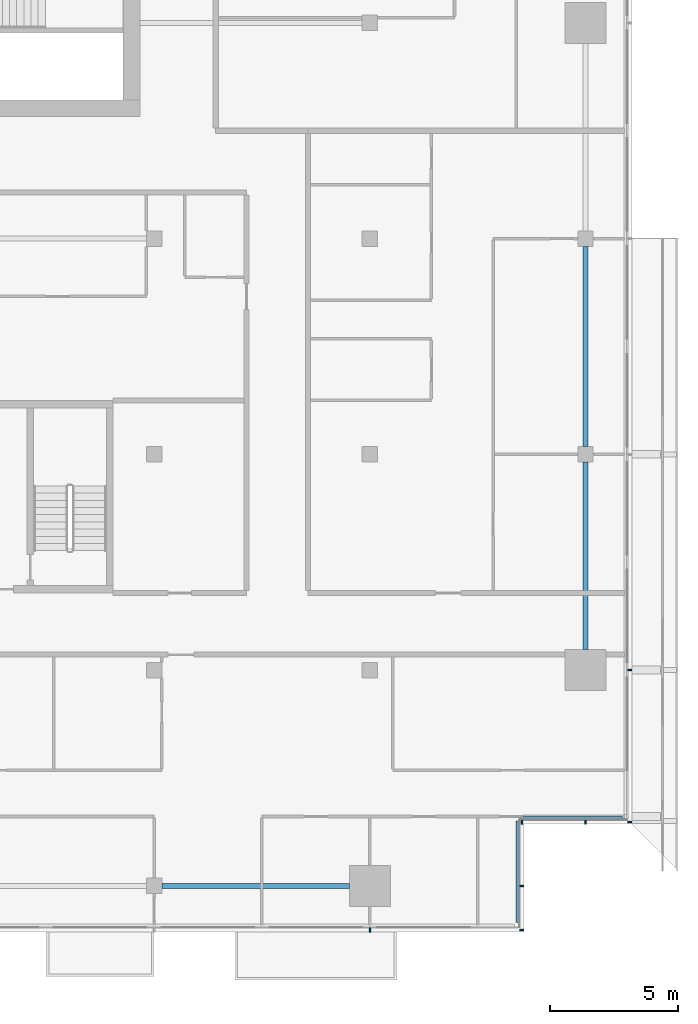
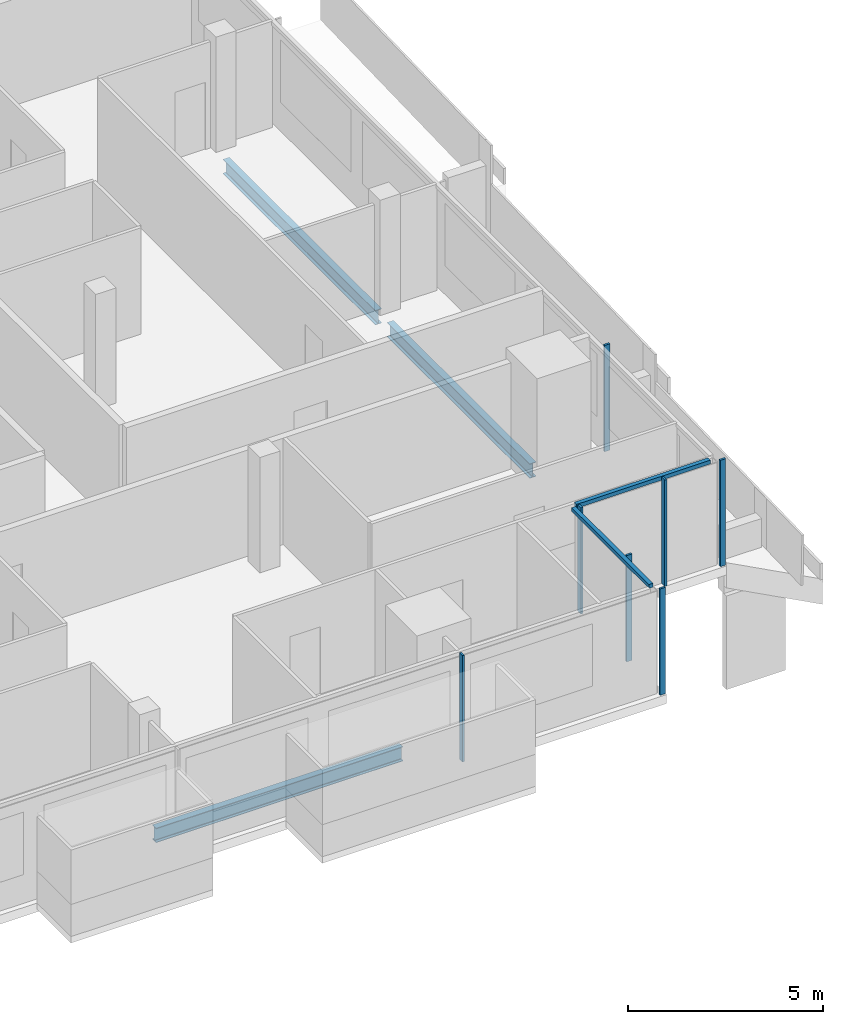
# One storey, part 11 of 29: 9 members, 3 beams, 4 elements without a shape of their own.
"""IFC4 building model written with IfcOpenShell, lengths in metres."""

import ifcopenshell
import ifcopenshell.guid

model = None  # the IFC model being written
_history = None  # IfcOwnerHistory: only IFC2X3 demands one
_inside = {}  # id of a spatial element -> (the spatial element, [elements in it])
_under = {}  # id of a project, library or spatial element -> (it, [spatial elements below it])
_declared = {}  # id of a project -> (the project, [libraries it declares])
_typed = {}  # id of a type object -> (the type object, [elements of that type])
_made_of = {}  # id of a material, layer set ... -> (it, [elements and type objects made of it])


def new_model(schema):
    """Start an empty IFC model of exactly this schema.

    Asked for "IFC4X3", IfcOpenShell would pick the latest addendum, in which some entities
    have other attributes; the version numbers below select the first issue.
    IFC2X3 requires an IfcOwnerHistory on every rooted entity: one is made here for all.
    """
    global model, _history
    if schema == "IFC4X3":
        model = ifcopenshell.file(schema_version=(4, 3, 0, 0))
    else:
        model = ifcopenshell.file(schema=schema)
    _inside.clear()
    _under.clear()
    _declared.clear()
    _typed.clear()
    _made_of.clear()
    _history = None
    if model.schema == "IFC2X3":
        org = make("IfcOrganization", Name="unknown")
        user = make(
            "IfcPersonAndOrganization",
            ThePerson=make("IfcPerson", FamilyName="unknown"),
            TheOrganization=org,
        )
        app = make(
            "IfcApplication",
            ApplicationDeveloper=org,
            Version="unknown",
            ApplicationFullName="unknown",
            ApplicationIdentifier="unknown",
        )
        _history = make(
            "IfcOwnerHistory",
            OwningUser=user,
            OwningApplication=app,
            ChangeAction="ADDED",
            CreationDate=0,
        )
    return model


def make(cls, **values):
    """One entity of the class cls with the attributes given. An attribute that is None is left unset."""
    return model.create_entity(
        cls, **{name: value for name, value in values.items() if value is not None}
    )


def rooted(cls, **values):
    """An entity with a GlobalId (a new one), such as an element, a storey or a relation."""
    return make(cls, GlobalId=ifcopenshell.guid.new(), OwnerHistory=_history, **values)


def si_unit(unit_type, name, prefix=None):
    """IfcSIUnit, for example si_unit("LENGTHUNIT", "METRE", prefix="MILLI")."""
    return make("IfcSIUnit", UnitType=unit_type, Prefix=prefix, Name=name)


def assignment(units):
    """IfcUnitAssignment: the units of a project."""
    return None if units is None else make("IfcUnitAssignment", Units=units)


def point(xyz):
    """IfcCartesianPoint."""
    return None if xyz is None else make("IfcCartesianPoint", Coordinates=xyz)


def direction(xyz):
    """IfcDirection."""
    return None if xyz is None else make("IfcDirection", DirectionRatios=xyz)


def frame(location, z_axis=None, x_axis=None):
    """IfcAxis2Placement3D, a coordinate frame: its origin and axes. An axis left out is left unset."""
    return make(
        "IfcAxis2Placement3D",
        Location=point(location),
        Axis=direction(z_axis),
        RefDirection=direction(x_axis),
    )


def frame_2d(location, x_axis=None):
    """IfcAxis2Placement2D, a coordinate frame in the plane: its origin and x axis."""
    return make(
        "IfcAxis2Placement2D", Location=point(location), RefDirection=direction(x_axis)
    )


def origin():
    """The frame at (0, 0, 0) with its axes left unset."""
    return frame((0.0, 0.0, 0.0))


def origin_2d():
    """The frame at (0, 0) in the plane with its x axis left unset."""
    return frame_2d((0.0, 0.0))


def place(relative_to, where):
    """IfcLocalPlacement: puts the frame where relative to a parent placement (None: the world)."""
    return make(
        "IfcLocalPlacement", PlacementRelTo=relative_to, RelativePlacement=where
    )


def context(
    kind, dimensions, precision=None, world=None, true_north=None, identifier=None
):
    """IfcGeometricRepresentationContext, for example the 3D "Model" context."""
    return make(
        "IfcGeometricRepresentationContext",
        ContextIdentifier=identifier,
        ContextType=kind,
        CoordinateSpaceDimension=dimensions,
        Precision=precision,
        WorldCoordinateSystem=world,
        TrueNorth=true_north,
    )


def subcontext(parent, identifier, kind, view, scale=None):
    """IfcGeometricRepresentationSubContext, for example "Body" below "Model"."""
    return make(
        "IfcGeometricRepresentationSubContext",
        ContextIdentifier=identifier,
        ContextType=kind,
        ParentContext=parent,
        TargetScale=scale,
        TargetView=view,
    )


def project(units=None, contexts=None):
    """IfcProject with its units and contexts."""
    return rooted(
        "IfcProject",
        Name="project",
        RepresentationContexts=contexts,
        UnitsInContext=assignment(units),
    )


def spatial(cls, under=None, at=None, **own):
    """A site, building, storey or space (cls), placed at a placement, below another one or the project."""
    s = rooted(cls, ObjectPlacement=at, **own)
    if under is not None:
        _under.setdefault(under.id(), (under, []))[1].append(s)
    return s


def profile(cls, at=None, kind="AREA", **sizes):
    """A parametric profile (cls). Its sizes go by their IFC names, for example OverallWidth=200.0."""
    return make(cls, ProfileType=kind, Position=at, **sizes)


def rectangle(**sizes):
    """IfcRectangleProfileDef."""
    return profile("IfcRectangleProfileDef", **sizes)


def i_section(**sizes):
    """IfcIShapeProfileDef."""
    return profile("IfcIShapeProfileDef", **sizes)


def extrude(swept, where, along, depth):
    """IfcExtrudedAreaSolid: the profile swept, set in the frame where, extruded along a direction by depth."""
    return make(
        "IfcExtrudedAreaSolid",
        SweptArea=swept,
        Position=where,
        ExtrudedDirection=direction(along),
        Depth=depth,
    )


def shape(context_of_items, identifier, shape_type, items):
    """IfcShapeRepresentation: the items that make up one representation, for example the "Body"."""
    return make(
        "IfcShapeRepresentation",
        ContextOfItems=context_of_items,
        RepresentationIdentifier=identifier,
        RepresentationType=shape_type,
        Items=items,
    )


def material(Name=None, Category=None):
    """IfcMaterial."""
    return make("IfcMaterial", Name=Name, Category=Category)


def material_profile(
    of_material, cross_section, Name=None, Category=None, Priority=None
):
    """IfcMaterialProfile: a cross section and its material."""
    return make(
        "IfcMaterialProfile",
        Name=Name,
        Material=of_material,
        Profile=cross_section,
        Priority=Priority,
        Category=Category,
    )


def profile_set(profiles, Name=None, composite=None):
    """IfcMaterialProfileSet."""
    return make(
        "IfcMaterialProfileSet",
        Name=Name,
        MaterialProfiles=profiles,
        CompositeProfile=composite,
    )


def made_of(thing, what):
    """Note that an element or type object is made of a material, layer set ...; save() writes the relation."""
    if what is not None:
        _made_of.setdefault(what.id(), (what, []))[1].append(thing)
    return thing


def type_object(cls, material=None, **own):
    """A type object (cls), such as IfcWallType, which elements share."""
    return made_of(rooted(cls, **own), material)


def element(
    cls,
    number,
    at=None,
    inside=None,
    cuts=None,
    type_object=None,
    material=None,
    context=None,
    identifier="Body",
    shape_type=None,
    held_by="IfcProductDefinitionShape",
    body=None,
    shapes=None,
    **own,
):
    """One element of the class cls, such as IfcWall. Its Tag is "e" and its number.

    at: its placement. inside: the storey or other place that contains it. cuts: it is an
    opening in that element (IfcRelVoidsElement). A single representation is given by context,
    identifier, shape_type and body (its items); several are given by shapes. held_by: the class
    of the entity that holds the representations. save() writes the other relations.
    """
    e = rooted(cls, Tag="e%d" % number, ObjectPlacement=at, **own)
    if body is not None:
        shapes = [shape(context, identifier, shape_type, body)]
    if shapes is not None:
        e.Representation = make(held_by, Representations=shapes)
    if inside is not None:
        _inside.setdefault(inside.id(), (inside, []))[1].append(e)
    if cuts is not None:
        rooted(
            "IfcRelVoidsElement", RelatingBuildingElement=cuts, RelatedOpeningElement=e
        )
    if type_object is not None:
        _typed.setdefault(type_object.id(), (type_object, []))[1].append(e)
    return made_of(e, material)


def aggregate(whole, parts):
    """IfcRelAggregates: a whole, such as a stair, and the parts it consists of."""
    return rooted("IfcRelAggregates", RelatingObject=whole, RelatedObjects=parts)


def save(model, path):
    """Write the relations noted so far, then the file.

    IfcRelAggregates (storeys below a building ...), IfcRelContainedInSpatialStructure (elements
    in a storey), IfcRelDefinesByType, IfcRelAssociatesMaterial and IfcRelDeclares: one each for
    every whole, place, type object, material and project.
    """
    for whole, parts in _under.values():
        aggregate(whole, parts)
    for where, things in _inside.values():
        rooted(
            "IfcRelContainedInSpatialStructure",
            RelatedElements=things,
            RelatingStructure=where,
        )
    for kind, things in _typed.values():
        rooted("IfcRelDefinesByType", RelatedObjects=things, RelatingType=kind)
    for what, things in _made_of.values():
        rooted("IfcRelAssociatesMaterial", RelatedObjects=things, RelatingMaterial=what)
    for by, libraries in _declared.values():
        rooted("IfcRelDeclares", RelatingContext=by, RelatedDefinitions=libraries)
    model.write(path)


model = new_model("IFC4")

# Units and contexts
model_context = context("Model", 3, precision=1e-05, world=origin(), true_north=direction((0.0, 1.0)))
body_context = subcontext(model_context, "Body", "Model", "MODEL_VIEW")
ifc_project = project(units=[si_unit("LENGTHUNIT", "METRE"), si_unit("AREAUNIT", "SQUARE_METRE"), si_unit("VOLUMEUNIT", "CUBIC_METRE"), si_unit("PLANEANGLEUNIT", "RADIAN"), si_unit("MASSUNIT", "GRAM", prefix="KILO")], contexts=[model_context])

# Site, building, storey
site_placement = place(None, origin())
site = spatial("IfcSite", under=ifc_project, at=site_placement, CompositionType="ELEMENT")
building_placement = place(site_placement, origin())
building = spatial("IfcBuilding", under=site, at=building_placement, Name="Saffron Gate Tower", CompositionType="ELEMENT")
storey_placement = place(building_placement, frame((0.0, 0.0, 219.89990234375)))
storey = spatial("IfcBuildingStorey", under=building, at=storey_placement, Name="L53", CompositionType="ELEMENT", Elevation=219.89990234375)

# Beams
ifc_material_1 = material(Name="Structural steel S355", Category="steel")
ifc_material_profile_1 = material_profile(ifc_material_1, i_section(OverallWidth=0.18994140625, OverallDepth=0.449951171875, WebThickness=0.009521484375, FlangeThickness=0.0146484375, FilletRadius=0.02099609375, at=origin_2d()))
ifc_profile_set_1 = profile_set([ifc_material_profile_1], Name="Structural steel S355")
beam_type = type_object("IfcBeamType", Name="B7 IPE 450", PredefinedType="SPANDREL", material=ifc_profile_set_1)
for number, where, z_axis, x_axis, name in (
    (1, (108.89990234375, 31.800048828125, -0.5048828125), (1.0, 0.0, 0.0), (0.0, 1.0, 0.0), "B7 SPANDREL BEAM"),
    (2, (125.39990234375, 41.0, -0.5048828125), (0.0, 1.0, 0.0), (-1.0, 0.0, 0.0), "B7 SPANDREL BEAM"),
):
    element("IfcBeam", number, at=place(storey_placement, frame(where, z_axis=z_axis, x_axis=x_axis)), inside=storey, type_object=beam_type, Name=name, PredefinedType="SPANDREL", context=body_context, shape_type="SweptSolid", body=[
        extrude(i_section(OverallWidth=0.18994140625, OverallDepth=0.449951171875, WebThickness=0.009521484375, FlangeThickness=0.0146484375, FilletRadius=0.02099609375, at=origin_2d()), origin(), (0.0, 0.0, 1.0), 7.300048828125),
    ])
beam_placement = place(storey_placement, frame((125.39990234375, 48.89990234375, -0.5048828125), z_axis=(0.0, 1.0, 0.0), x_axis=(-1.0, 0.0, 0.0)))
element("IfcBeam", 3, at=beam_placement, inside=storey, type_object=beam_type, Name="B7 SPANDREL BEAM", PredefinedType="SPANDREL", context=body_context, shape_type="SweptSolid", body=[
    extrude(i_section(OverallWidth=0.18994140625, OverallDepth=0.449951171875, WebThickness=0.009521484375, FlangeThickness=0.0146484375, FilletRadius=0.02099609375, at=origin_2d()), origin(), (0.0, 0.0, 1.0), 7.800048828125),
])

# Curtain wall, member
ifc_material_2 = material(Name="Aluminium, bronze anodised", Category="aluminium")
curtain_wall_type_1 = type_object("IfcCurtainWallType", Name="CWS1 curtain wall front facade", PredefinedType="NOTDEFINED", material=ifc_material_2)
curtain_wall_1_placement = place(storey_placement, origin())
curtain_wall_1 = element("IfcCurtainWall", 4, at=curtain_wall_1_placement, inside=storey, type_object=curtain_wall_type_1, Name="CWS1 run 1", PredefinedType="NOTDEFINED")
ifc_material_profile_2 = material_profile(ifc_material_2, rectangle(XDim=0.159912109375, YDim=0.06005859375, at=origin_2d()))
ifc_profile_set_2 = profile_set([ifc_material_profile_2], Name="Aluminium, bronze anodised")
member_type_1 = type_object("IfcMemberType", Name="CWS1 mullion 60x160", PredefinedType="MULLION", material=ifc_profile_set_2)
member_1_placement = place(storey_placement, frame((117.0, 30.080078125, 0.0), z_axis=(0.0, 0.0, 1.0), x_axis=(0.0, 1.0, 0.0)))
member_1 = element("IfcMember", 5, at=member_1_placement, type_object=member_type_1, Name="CWS1 mullion 9", PredefinedType="MULLION", context=body_context, shape_type="SweptSolid", body=[
    extrude(rectangle(XDim=0.159912109375, YDim=0.06005859375, at=origin_2d()), origin(), (0.0, 0.0, 1.0), 3.320068359375),
])
aggregate(curtain_wall_1, [member_1])

# Curtain wall, members
curtain_wall_type_2 = type_object("IfcCurtainWallType", Name="CWS2 curtain wall side facades", PredefinedType="NOTDEFINED", material=ifc_material_2)
curtain_wall_2_placement = place(storey_placement, origin())
curtain_wall_2 = element("IfcCurtainWall", 6, at=curtain_wall_2_placement, inside=storey, type_object=curtain_wall_type_2, Name="CWS2 run 4", PredefinedType="NOTDEFINED")
ifc_material_profile_3 = material_profile(ifc_material_2, rectangle(XDim=0.159912109375, YDim=0.06005859375, at=origin_2d()))
ifc_profile_set_3 = profile_set([ifc_material_profile_3], Name="Aluminium, bronze anodised")
member_type_2 = type_object("IfcMemberType", Name="CWS2 mullion 60x160", PredefinedType="MULLION", material=ifc_profile_set_3)
member_2_placement = place(storey_placement, frame((127.1201171875, 34.280029296875, 0.0), z_axis=(0.0, 0.0, 1.0), x_axis=(-1.0, 0.0, 0.0)))
member_2 = element("IfcMember", 7, at=member_2_placement, type_object=member_type_2, Name="CWS2 mullion 1", PredefinedType="MULLION", context=body_context, shape_type="SweptSolid", body=[
    extrude(rectangle(XDim=0.159912109375, YDim=0.06005859375, at=origin_2d()), origin(), (0.0, 0.0, 1.0), 3.320068359375),
])
member_3_placement = place(storey_placement, frame((127.1201171875, 40.199951171875, 0.0), z_axis=(0.0, 0.0, 1.0), x_axis=(-1.0, 0.0, 0.0)))
member_3 = element("IfcMember", 8, at=member_3_placement, type_object=member_type_2, Name="CWS2 mullion 2", PredefinedType="MULLION", context=body_context, shape_type="SweptSolid", body=[
    extrude(rectangle(XDim=0.159912109375, YDim=0.06005859375, at=origin_2d()), origin(), (0.0, 0.0, 1.0), 3.320068359375),
])
aggregate(curtain_wall_2, [member_2, member_3])

# Curtain wall, member
curtain_wall_type_3 = type_object("IfcCurtainWallType", Name="CWS4 curtain wall corner returns", PredefinedType="NOTDEFINED", material=ifc_material_2)
curtain_wall_3_placement = place(storey_placement, origin())
curtain_wall_3 = element("IfcCurtainWall", 9, at=curtain_wall_3_placement, inside=storey, type_object=curtain_wall_type_3, Name="CWS4 run 2", PredefinedType="NOTDEFINED")
ifc_material_profile_4 = material_profile(ifc_material_2, rectangle(XDim=0.1201171875, YDim=0.1201171875, at=origin_2d()))
ifc_profile_set_4 = profile_set([ifc_material_profile_4], Name="Aluminium, bronze anodised")
member_type_3 = type_object("IfcMemberType", Name="CWS4 head transom", PredefinedType="USERDEFINED", material=ifc_profile_set_4)
member_4_placement = place(storey_placement, frame((122.751953125, 30.367919921875, 3.260009765625), z_axis=(0.0, 1.0, 0.0), x_axis=(-1.0, 0.0, 0.0)))
member_4 = element("IfcMember", 10, at=member_4_placement, type_object=member_type_3, Name="CWS4 head transom", ObjectType="TRANSOM", PredefinedType="USERDEFINED", context=body_context, shape_type="SweptSolid", body=[
    extrude(rectangle(XDim=0.1201171875, YDim=0.1201171875, at=origin_2d()), origin(), (0.0, 0.0, 1.0), 3.9599609375),
])

curtain_wall_4_placement = place(storey_placement, origin())
curtain_wall_4 = element("IfcCurtainWall", 11, at=curtain_wall_4_placement, inside=storey, type_object=curtain_wall_type_3, Name="CWS4 run 3", PredefinedType="NOTDEFINED")
member_5_placement = place(storey_placement, frame((122.8720703125, 34.447998046875, 3.260009765625), z_axis=(1.0, 0.0, 0.0), x_axis=(0.0, 1.0, 0.0)))
member_5 = element("IfcMember", 12, at=member_5_placement, type_object=member_type_3, Name="CWS4 head transom", ObjectType="TRANSOM", PredefinedType="USERDEFINED", context=body_context, shape_type="SweptSolid", body=[
    extrude(rectangle(XDim=0.1201171875, YDim=0.1201171875, at=origin_2d()), origin(), (0.0, 0.0, 1.0), 3.9599609375),
])

# Member
ifc_material_profile_5 = material_profile(ifc_material_2, rectangle(XDim=0.159912109375, YDim=0.06005859375, at=origin_2d()))
ifc_profile_set_5 = profile_set([ifc_material_profile_5], Name="Aluminium, bronze anodised")
member_type_4 = type_object("IfcMemberType", Name="CWS4 mullion 60x160", PredefinedType="MULLION", material=ifc_profile_set_5)
member_6_placement = place(storey_placement, frame((122.919921875, 30.080078125, 0.0), z_axis=(0.0, 0.0, 1.0), x_axis=(-1.0, 0.0, 0.0)))
member_6 = element("IfcMember", 13, at=member_6_placement, type_object=member_type_4, Name="CWS4 mullion 1", PredefinedType="MULLION", context=body_context, shape_type="SweptSolid", body=[
    extrude(rectangle(XDim=0.159912109375, YDim=0.06005859375, at=origin_2d()), origin(), (0.0, 0.0, 1.0), 3.320068359375),
])

member_7_placement = place(storey_placement, frame((122.919921875, 31.800048828125, 0.0), z_axis=(0.0, 0.0, 1.0), x_axis=(-1.0, 0.0, 0.0)))
member_7 = element("IfcMember", 14, at=member_7_placement, type_object=member_type_4, Name="CWS4 mullion 2", PredefinedType="MULLION", context=body_context, shape_type="SweptSolid", body=[
    extrude(rectangle(XDim=0.159912109375, YDim=0.06005859375, at=origin_2d()), origin(), (0.0, 0.0, 1.0), 3.320068359375),
])

aggregate(curtain_wall_3, [member_6, member_7, member_4])

member_8_placement = place(storey_placement, frame((122.919921875, 34.280029296875, 0.0), z_axis=(0.0, 0.0, 1.0), x_axis=(0.0, 1.0, 0.0)))
member_8 = element("IfcMember", 15, at=member_8_placement, type_object=member_type_4, Name="CWS4 mullion 1", PredefinedType="MULLION", context=body_context, shape_type="SweptSolid", body=[
    extrude(rectangle(XDim=0.159912109375, YDim=0.06005859375, at=origin_2d()), origin(), (0.0, 0.0, 1.0), 3.320068359375),
])

member_9_placement = place(storey_placement, frame((125.39990234375, 34.280029296875, 0.0), z_axis=(0.0, 0.0, 1.0), x_axis=(0.0, 1.0, 0.0)))
member_9 = element("IfcMember", 16, at=member_9_placement, type_object=member_type_4, Name="CWS4 mullion 2", PredefinedType="MULLION", context=body_context, shape_type="SweptSolid", body=[
    extrude(rectangle(XDim=0.159912109375, YDim=0.06005859375, at=origin_2d()), origin(), (0.0, 0.0, 1.0), 3.320068359375),
])

aggregate(curtain_wall_4, [member_8, member_9, member_5])

save(model, "model.ifc")
